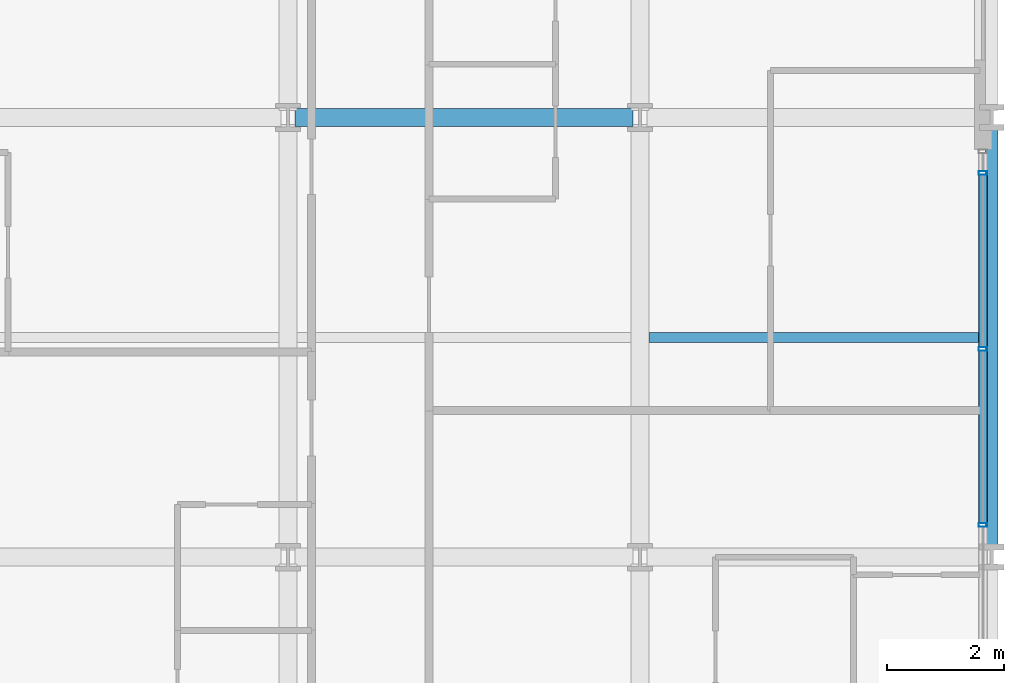
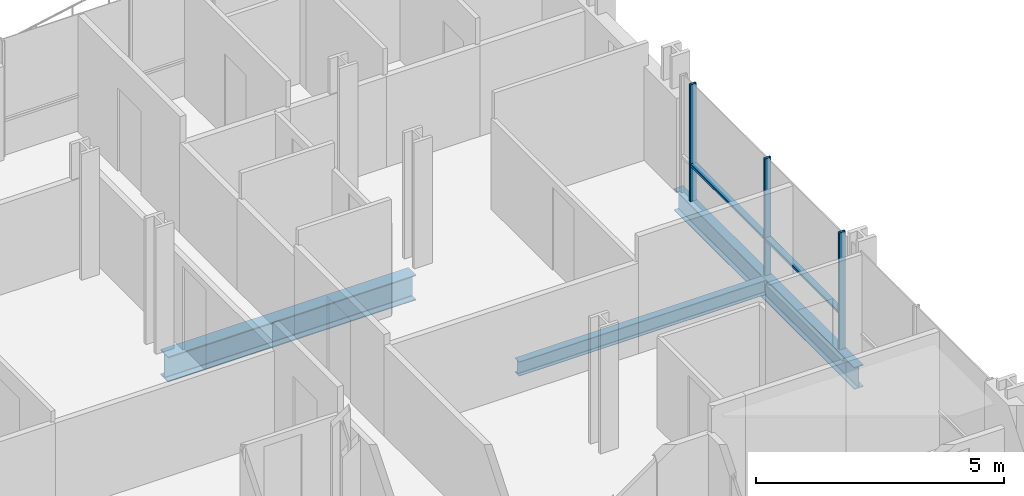
# One storey, part 19 of 41: 5 members, 3 beams, 1 element without a shape of its own.
"""IFC4 building model written with IfcOpenShell, lengths in metres."""

from ifc_helpers import new_model, si_unit, direction, frame, origin, origin_2d, place, context, subcontext, project, spatial, hollow_rectangle, i_section, extrude, material, layer, layer_set, material_profile, profile_set, type_object, element, aggregate, save


model = new_model("IFC4")

# Units and contexts
model_context = context("Model", 3, precision=1e-05, world=origin(), true_north=direction((0.0, 1.0)))
body_context = subcontext(model_context, "Body", "Model", "MODEL_VIEW")
ifc_project = project(units=[si_unit("LENGTHUNIT", "METRE"), si_unit("AREAUNIT", "SQUARE_METRE"), si_unit("VOLUMEUNIT", "CUBIC_METRE"), si_unit("PLANEANGLEUNIT", "RADIAN"), si_unit("MASSUNIT", "GRAM", prefix="KILO")], contexts=[model_context])

# Site, building, storey
site_placement = place(None, origin())
site = spatial("IfcSite", under=ifc_project, at=site_placement, CompositionType="ELEMENT")
building_placement = place(site_placement, origin())
building = spatial("IfcBuilding", under=site, at=building_placement, Name="Brevholm Reach", CompositionType="ELEMENT")
storey_placement = place(building_placement, frame((0.0, 0.0, 49.699951171875)))
storey = spatial("IfcBuildingStorey", under=building, at=storey_placement, Name="L13", CompositionType="ELEMENT", Elevation=49.699951171875)

# Beams
ifc_material_1 = material(Name="Structural Steel S355J2", Category="steel")
ifc_material_profile_1 = material_profile(ifc_material_1, i_section(OverallWidth=0.17138671875, OverallDepth=0.35498046875, WebThickness=0.00732421875, FlangeThickness=0.011474609375, FilletRadius=0.01025390625, at=origin_2d()), Name="UKB 356x171x51")
ifc_profile_set_1 = profile_set([ifc_material_profile_1], Name="Structural Steel S355J2")
beam_type_1 = type_object("IfcBeamType", Name="BM-B356", PredefinedType="BEAM", material=ifc_profile_set_1)
beam_1_placement = place(storey_placement, frame((54.153564453125, 19.75, -0.407470703125), z_axis=(1.0, 0.0, 0.0), x_axis=(0.0, 1.0, 0.0)))
element("IfcBeam", 1, at=beam_1_placement, inside=storey, type_object=beam_type_1, Name="L13 Composite Secondary Floor Beam", PredefinedType="BEAM", context=body_context, shape_type="SweptSolid", body=[
    extrude(i_section(OverallWidth=0.17138671875, OverallDepth=0.35498046875, WebThickness=0.00732421875, FlangeThickness=0.011474609375, FilletRadius=0.01025390625, at=origin_2d()), origin(), (0.0, 0.0, 1.0), 5.740966796875),
])
ifc_material_2 = material(Name="Structural Steel S355J2", Category="steel")
ifc_material_profile_2 = material_profile(ifc_material_2, i_section(OverallWidth=0.210693359375, OverallDepth=0.53955078125, WebThickness=0.01171875, FlangeThickness=0.018798828125, FilletRadius=0.0126953125, at=origin_2d()), Name="UKB 533x210x109")
ifc_profile_set_2 = profile_set([ifc_material_profile_2], Name="Structural Steel S355J2")
beam_type_2 = type_object("IfcBeamType", Name="BM-SP539", PredefinedType="SPANDREL", material=ifc_profile_set_2)
beam_2_placement = place(storey_placement, frame((60.0, 16.1201171875, -0.499755859375), z_axis=(0.0, 1.0, 0.0), x_axis=(-1.0, 0.0, 0.0)))
element("IfcBeam", 2, at=beam_2_placement, inside=storey, type_object=beam_type_2, Name="L13 SP-01B Framing Beam", PredefinedType="SPANDREL", context=body_context, shape_type="SweptSolid", body=[
    extrude(i_section(OverallWidth=0.210693359375, OverallDepth=0.53955078125, WebThickness=0.01171875, FlangeThickness=0.018798828125, FilletRadius=0.0126953125, at=origin_2d()), origin(), (0.0, 0.0, 1.0), 7.259765625),
])
ifc_material_3 = material(Name="Structural Steel S355J2", Category="steel")
ifc_material_profile_3 = material_profile(ifc_material_3, i_section(OverallWidth=0.30712890625, OverallDepth=0.6201171875, WebThickness=0.01416015625, FlangeThickness=0.023681640625, FilletRadius=0.0166015625, at=origin_2d()), Name="UKB 610x305x179")
ifc_profile_set_3 = profile_set([ifc_material_profile_3], Name="Structural Steel S355J2")
beam_type_3 = type_object("IfcBeamType", Name="BM-UKB610H", PredefinedType="USERDEFINED", material=ifc_profile_set_3)
beam_3_placement = place(storey_placement, frame((48.1201171875, 23.5, -0.5400390625), z_axis=(1.0, 0.0, 0.0), x_axis=(0.0, 1.0, 0.0)))
element("IfcBeam", 3, at=beam_3_placement, inside=storey, type_object=beam_type_3, Name="L13 G-06 Framing Beam", ObjectType="GIRDER", PredefinedType="USERDEFINED", context=body_context, shape_type="SweptSolid", body=[
    extrude(i_section(OverallWidth=0.30712890625, OverallDepth=0.6201171875, WebThickness=0.01416015625, FlangeThickness=0.023681640625, FilletRadius=0.0166015625, at=origin_2d()), origin(), (0.0, 0.0, 1.0), 5.759765625),
])

# Curtain wall, members
ifc_material_4 = material(Name="Dark Anodised Aluminium 6063-T6 and Solar-Control Glass", Category="aluminium")
ifc_layer = layer(ifc_material_4, 0.14990234375)
ifc_layer_set = layer_set([ifc_layer], Name="Dark Anodised Aluminium 6063-T6 and Solar-Control Glass")
curtain_wall_type = type_object("IfcCurtainWallType", Name="CW-01", PredefinedType="NOTDEFINED", material=ifc_layer_set)
curtain_wall_placement = place(storey_placement, origin())
curtain_wall = element("IfcCurtainWall", 4, at=curtain_wall_placement, inside=storey, type_object=curtain_wall_type, Name="L13 Curtain Wall CW-01", PredefinedType="NOTDEFINED")
ifc_material_5 = material(Name="Dark Anodised Aluminium 6063-T6", Category="aluminium")
ifc_material_profile_4 = material_profile(ifc_material_5, hollow_rectangle(XDim=0.06494140625, YDim=0.14990234375, WallThickness=0.0048828125, InnerFilletRadius=0.0048828125, OuterFilletRadius=0.010009765625, at=origin_2d()), Name="RHS 150x65x5")
ifc_profile_set_4 = profile_set([ifc_material_profile_4], Name="Dark Anodised Aluminium 6063-T6")
member_type_1 = type_object("IfcMemberType", Name="CWM-150", PredefinedType="MULLION", material=ifc_profile_set_4)
member_1_placement = place(storey_placement, frame((59.85009765625, 16.550048828125, 0.0), z_axis=(0.0, 0.0, 1.0), x_axis=(0.0, 1.0, 0.0)))
member_1 = element("IfcMember", 5, at=member_1_placement, type_object=member_type_1, Name="CM-150 Mullion 3", PredefinedType="MULLION", context=body_context, shape_type="SweptSolid", body=[
    extrude(hollow_rectangle(XDim=0.06494140625, YDim=0.14990234375, WallThickness=0.0048828125, InnerFilletRadius=0.0048828125, OuterFilletRadius=0.010009765625, at=origin_2d()), origin(), (0.0, 0.0, 1.0), 2.8701171875),
])
member_2_placement = place(storey_placement, frame((59.85009765625, 19.550048828125, 0.0), z_axis=(0.0, 0.0, 1.0), x_axis=(0.0, 1.0, 0.0)))
member_2 = element("IfcMember", 6, at=member_2_placement, type_object=member_type_1, Name="CM-150 Mullion 4", PredefinedType="MULLION", context=body_context, shape_type="SweptSolid", body=[
    extrude(hollow_rectangle(XDim=0.06494140625, YDim=0.14990234375, WallThickness=0.0048828125, InnerFilletRadius=0.0048828125, OuterFilletRadius=0.010009765625, at=origin_2d()), origin(), (0.0, 0.0, 1.0), 2.8701171875),
])
member_3_placement = place(storey_placement, frame((59.85009765625, 22.550048828125, 0.0), z_axis=(0.0, 0.0, 1.0), x_axis=(0.0, 1.0, 0.0)))
member_3 = element("IfcMember", 7, at=member_3_placement, type_object=member_type_1, Name="CM-150 Mullion 5", PredefinedType="MULLION", context=body_context, shape_type="SweptSolid", body=[
    extrude(hollow_rectangle(XDim=0.06494140625, YDim=0.14990234375, WallThickness=0.0048828125, InnerFilletRadius=0.0048828125, OuterFilletRadius=0.010009765625, at=origin_2d()), origin(), (0.0, 0.0, 1.0), 2.8701171875),
])
ifc_material_6 = material(Name="Dark Anodised Aluminium 6063-T6", Category="aluminium")
ifc_material_profile_5 = material_profile(ifc_material_6, hollow_rectangle(XDim=0.06494140625, YDim=0.14990234375, WallThickness=0.0048828125, InnerFilletRadius=0.0048828125, OuterFilletRadius=0.010009765625, at=origin_2d()), Name="RHS 150x65x5")
ifc_profile_set_5 = profile_set([ifc_material_profile_5], Name="Dark Anodised Aluminium 6063-T6")
member_type_2 = type_object("IfcMemberType", Name="CWT-150", PredefinedType="NOTDEFINED", material=ifc_profile_set_5)
member_4_placement = place(storey_placement, frame((59.85009765625, 16.58251953125, 0.900146484375), z_axis=(0.0, 1.0, 0.0), x_axis=(0.0, 0.0, 1.0)))
member_4 = element("IfcMember", 8, at=member_4_placement, type_object=member_type_2, Name="CT-150 Transom 3.1", ObjectType="TRANSOM", PredefinedType="USERDEFINED", context=body_context, shape_type="SweptSolid", body=[
    extrude(hollow_rectangle(XDim=0.06494140625, YDim=0.14990234375, WallThickness=0.0048828125, InnerFilletRadius=0.0048828125, OuterFilletRadius=0.010009765625, at=origin_2d()), origin(), (0.0, 0.0, 1.0), 2.93505859375),
])
member_5_placement = place(storey_placement, frame((59.85009765625, 19.58251953125, 0.900146484375), z_axis=(0.0, 1.0, 0.0), x_axis=(0.0, 0.0, 1.0)))
member_5 = element("IfcMember", 9, at=member_5_placement, type_object=member_type_2, Name="CT-150 Transom 4.1", ObjectType="TRANSOM", PredefinedType="USERDEFINED", context=body_context, shape_type="SweptSolid", body=[
    extrude(hollow_rectangle(XDim=0.06494140625, YDim=0.14990234375, WallThickness=0.0048828125, InnerFilletRadius=0.0048828125, OuterFilletRadius=0.010009765625, at=origin_2d()), origin(), (0.0, 0.0, 1.0), 2.93505859375),
])
aggregate(curtain_wall, [member_1, member_2, member_3, member_4, member_5])

save(model, "model.ifc")
